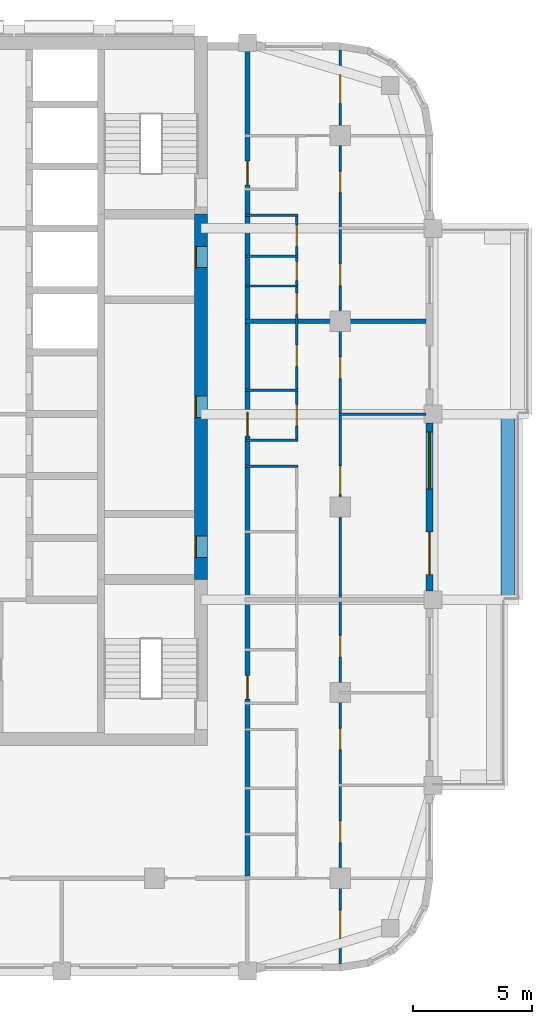
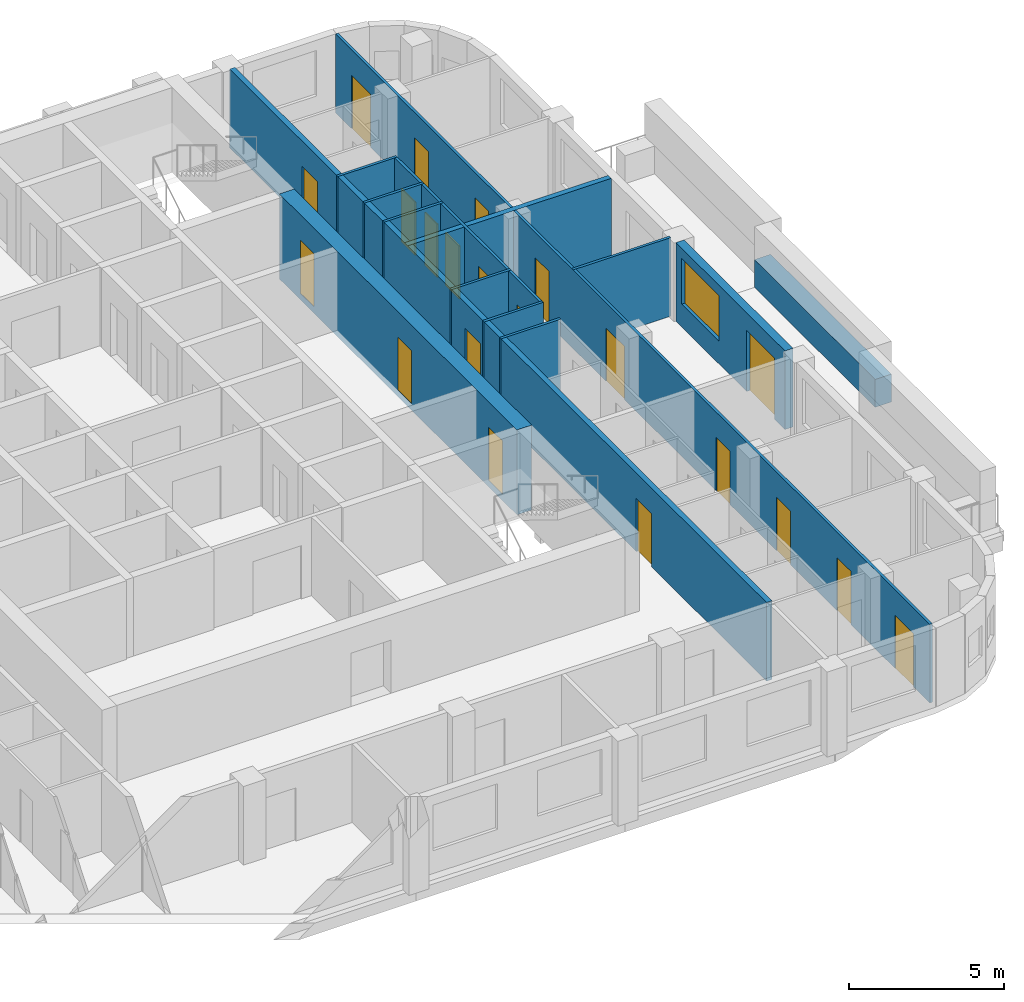
# One storey, part 7 of 13: 21 doors, 14 walls, 1 window, 22 openings.
"""IFC4 building model written with IfcOpenShell, lengths in metres."""

import ifcopenshell
import ifcopenshell.guid

model = None  # the IFC model being written
_history = None  # IfcOwnerHistory: only IFC2X3 demands one
_inside = {}  # id of a spatial element -> (the spatial element, [elements in it])
_under = {}  # id of a project, library or spatial element -> (it, [spatial elements below it])
_declared = {}  # id of a project -> (the project, [libraries it declares])
_typed = {}  # id of a type object -> (the type object, [elements of that type])
_made_of = {}  # id of a material, layer set ... -> (it, [elements and type objects made of it])


def new_model(schema):
    """Start an empty IFC model of exactly this schema.

    Asked for "IFC4X3", IfcOpenShell would pick the latest addendum, in which some entities
    have other attributes; the version numbers below select the first issue.
    IFC2X3 requires an IfcOwnerHistory on every rooted entity: one is made here for all.
    """
    global model, _history
    if schema == "IFC4X3":
        model = ifcopenshell.file(schema_version=(4, 3, 0, 0))
    else:
        model = ifcopenshell.file(schema=schema)
    _inside.clear()
    _under.clear()
    _declared.clear()
    _typed.clear()
    _made_of.clear()
    _history = None
    if model.schema == "IFC2X3":
        org = make("IfcOrganization", Name="unknown")
        user = make(
            "IfcPersonAndOrganization",
            ThePerson=make("IfcPerson", FamilyName="unknown"),
            TheOrganization=org,
        )
        app = make(
            "IfcApplication",
            ApplicationDeveloper=org,
            Version="unknown",
            ApplicationFullName="unknown",
            ApplicationIdentifier="unknown",
        )
        _history = make(
            "IfcOwnerHistory",
            OwningUser=user,
            OwningApplication=app,
            ChangeAction="ADDED",
            CreationDate=0,
        )
    return model


def make(cls, **values):
    """One entity of the class cls with the attributes given. An attribute that is None is left unset."""
    return model.create_entity(
        cls, **{name: value for name, value in values.items() if value is not None}
    )


def rooted(cls, **values):
    """An entity with a GlobalId (a new one), such as an element, a storey or a relation."""
    return make(cls, GlobalId=ifcopenshell.guid.new(), OwnerHistory=_history, **values)


def si_unit(unit_type, name, prefix=None):
    """IfcSIUnit, for example si_unit("LENGTHUNIT", "METRE", prefix="MILLI")."""
    return make("IfcSIUnit", UnitType=unit_type, Prefix=prefix, Name=name)


def assignment(units):
    """IfcUnitAssignment: the units of a project."""
    return None if units is None else make("IfcUnitAssignment", Units=units)


def point(xyz):
    """IfcCartesianPoint."""
    return None if xyz is None else make("IfcCartesianPoint", Coordinates=xyz)


def direction(xyz):
    """IfcDirection."""
    return None if xyz is None else make("IfcDirection", DirectionRatios=xyz)


def frame(location, z_axis=None, x_axis=None):
    """IfcAxis2Placement3D, a coordinate frame: its origin and axes. An axis left out is left unset."""
    return make(
        "IfcAxis2Placement3D",
        Location=point(location),
        Axis=direction(z_axis),
        RefDirection=direction(x_axis),
    )


def frame_2d(location, x_axis=None):
    """IfcAxis2Placement2D, a coordinate frame in the plane: its origin and x axis."""
    return make(
        "IfcAxis2Placement2D", Location=point(location), RefDirection=direction(x_axis)
    )


def origin():
    """The frame at (0, 0, 0) with its axes left unset."""
    return frame((0.0, 0.0, 0.0))


def place(relative_to, where):
    """IfcLocalPlacement: puts the frame where relative to a parent placement (None: the world)."""
    return make(
        "IfcLocalPlacement", PlacementRelTo=relative_to, RelativePlacement=where
    )


def context(
    kind, dimensions, precision=None, world=None, true_north=None, identifier=None
):
    """IfcGeometricRepresentationContext, for example the 3D "Model" context."""
    return make(
        "IfcGeometricRepresentationContext",
        ContextIdentifier=identifier,
        ContextType=kind,
        CoordinateSpaceDimension=dimensions,
        Precision=precision,
        WorldCoordinateSystem=world,
        TrueNorth=true_north,
    )


def subcontext(parent, identifier, kind, view, scale=None):
    """IfcGeometricRepresentationSubContext, for example "Body" below "Model"."""
    return make(
        "IfcGeometricRepresentationSubContext",
        ContextIdentifier=identifier,
        ContextType=kind,
        ParentContext=parent,
        TargetScale=scale,
        TargetView=view,
    )


def project(units=None, contexts=None):
    """IfcProject with its units and contexts."""
    return rooted(
        "IfcProject",
        Name="project",
        RepresentationContexts=contexts,
        UnitsInContext=assignment(units),
    )


def spatial(cls, under=None, at=None, **own):
    """A site, building, storey or space (cls), placed at a placement, below another one or the project."""
    s = rooted(cls, ObjectPlacement=at, **own)
    if under is not None:
        _under.setdefault(under.id(), (under, []))[1].append(s)
    return s


def profile(cls, at=None, kind="AREA", **sizes):
    """A parametric profile (cls). Its sizes go by their IFC names, for example OverallWidth=200.0."""
    return make(cls, ProfileType=kind, Position=at, **sizes)


def rectangle(**sizes):
    """IfcRectangleProfileDef."""
    return profile("IfcRectangleProfileDef", **sizes)


def extrude(swept, where, along, depth):
    """IfcExtrudedAreaSolid: the profile swept, set in the frame where, extruded along a direction by depth."""
    return make(
        "IfcExtrudedAreaSolid",
        SweptArea=swept,
        Position=where,
        ExtrudedDirection=direction(along),
        Depth=depth,
    )


def shape(context_of_items, identifier, shape_type, items):
    """IfcShapeRepresentation: the items that make up one representation, for example the "Body"."""
    return make(
        "IfcShapeRepresentation",
        ContextOfItems=context_of_items,
        RepresentationIdentifier=identifier,
        RepresentationType=shape_type,
        Items=items,
    )


def material(Name=None, Category=None):
    """IfcMaterial."""
    return make("IfcMaterial", Name=Name, Category=Category)


def layer(
    of_material, thickness, ventilated=None, Name=None, Category=None, Priority=None
):
    """IfcMaterialLayer: one layer of a wall or slab, of a material (None: an air gap)."""
    return make(
        "IfcMaterialLayer",
        Material=of_material,
        LayerThickness=thickness,
        IsVentilated=ventilated,
        Name=Name,
        Category=Category,
        Priority=Priority,
    )


def layer_set(layers, Name=None):
    """IfcMaterialLayerSet."""
    return make("IfcMaterialLayerSet", MaterialLayers=layers, LayerSetName=Name)


def made_of(thing, what):
    """Note that an element or type object is made of a material, layer set ...; save() writes the relation."""
    if what is not None:
        _made_of.setdefault(what.id(), (what, []))[1].append(thing)
    return thing


def type_object(cls, material=None, **own):
    """A type object (cls), such as IfcWallType, which elements share."""
    return made_of(rooted(cls, **own), material)


def element(
    cls,
    number,
    at=None,
    inside=None,
    cuts=None,
    type_object=None,
    material=None,
    context=None,
    identifier="Body",
    shape_type=None,
    held_by="IfcProductDefinitionShape",
    body=None,
    shapes=None,
    **own,
):
    """One element of the class cls, such as IfcWall. Its Tag is "e" and its number.

    at: its placement. inside: the storey or other place that contains it. cuts: it is an
    opening in that element (IfcRelVoidsElement). A single representation is given by context,
    identifier, shape_type and body (its items); several are given by shapes. held_by: the class
    of the entity that holds the representations. save() writes the other relations.
    """
    e = rooted(cls, Tag="e%d" % number, ObjectPlacement=at, **own)
    if body is not None:
        shapes = [shape(context, identifier, shape_type, body)]
    if shapes is not None:
        e.Representation = make(held_by, Representations=shapes)
    if inside is not None:
        _inside.setdefault(inside.id(), (inside, []))[1].append(e)
    if cuts is not None:
        rooted(
            "IfcRelVoidsElement", RelatingBuildingElement=cuts, RelatedOpeningElement=e
        )
    if type_object is not None:
        _typed.setdefault(type_object.id(), (type_object, []))[1].append(e)
    return made_of(e, material)


def fill(opening, filler):
    """IfcRelFillsElement: the door or window that sits in an opening."""
    return rooted(
        "IfcRelFillsElement",
        RelatingOpeningElement=opening,
        RelatedBuildingElement=filler,
    )


def aggregate(whole, parts):
    """IfcRelAggregates: a whole, such as a stair, and the parts it consists of."""
    return rooted("IfcRelAggregates", RelatingObject=whole, RelatedObjects=parts)


def save(model, path):
    """Write the relations noted so far, then the file.

    IfcRelAggregates (storeys below a building ...), IfcRelContainedInSpatialStructure (elements
    in a storey), IfcRelDefinesByType, IfcRelAssociatesMaterial and IfcRelDeclares: one each for
    every whole, place, type object, material and project.
    """
    for whole, parts in _under.values():
        aggregate(whole, parts)
    for where, things in _inside.values():
        rooted(
            "IfcRelContainedInSpatialStructure",
            RelatedElements=things,
            RelatingStructure=where,
        )
    for kind, things in _typed.values():
        rooted("IfcRelDefinesByType", RelatedObjects=things, RelatingType=kind)
    for what, things in _made_of.values():
        rooted("IfcRelAssociatesMaterial", RelatedObjects=things, RelatingMaterial=what)
    for by, libraries in _declared.values():
        rooted("IfcRelDeclares", RelatingContext=by, RelatedDefinitions=libraries)
    model.write(path)


model = new_model("IFC4")

# Units and contexts
model_context = context("Model", 3, precision=1e-05, world=origin(), true_north=direction((0.0, 1.0)))
body_context = subcontext(model_context, "Body", "Model", "MODEL_VIEW")
ifc_project = project(units=[si_unit("LENGTHUNIT", "METRE"), si_unit("AREAUNIT", "SQUARE_METRE"), si_unit("VOLUMEUNIT", "CUBIC_METRE"), si_unit("PLANEANGLEUNIT", "RADIAN"), si_unit("MASSUNIT", "GRAM", prefix="KILO")], contexts=[model_context])

# Site, building, storey
site_placement = place(None, origin())
site = spatial("IfcSite", under=ifc_project, at=site_placement, CompositionType="ELEMENT")
building_placement = place(site_placement, origin())
building = spatial("IfcBuilding", under=site, at=building_placement, Name="Ludao Terraces", CompositionType="ELEMENT")
storey_placement = place(building_placement, frame((0.0, 0.0, 189.39990234375)))
storey = spatial("IfcBuildingStorey", under=building, at=storey_placement, Name="L51", CompositionType="ELEMENT", Elevation=189.39990234375)

# Wall, openings, doors
ifc_material_1 = material(Name="Concrete C60", Category="concrete")
ifc_layer_1 = layer(ifc_material_1, 0.550048828125)
ifc_layer_set_1 = layer_set([ifc_layer_1], Name="Core wall 550 C60")
wall_type_1 = type_object("IfcWallType", Name="Core wall 550 C60", PredefinedType="SOLIDWALL", material=ifc_layer_set_1)
wall_1_placement = place(storey_placement, frame((94.75, 61.949951171875, -0.25), z_axis=(0.0, 0.0, 1.0), x_axis=(0.0, 1.0, 0.0)))
wall_1 = element("IfcWall", 1, at=wall_1_placement, inside=storey, type_object=wall_type_1, Name="Core wall L51 outer-E", PredefinedType="SOLIDWALL", context=body_context, shape_type="SweptSolid", body=[
    extrude(rectangle(XDim=15.35009765625, YDim=0.550048828125, at=frame_2d((7.675048828125, 0.0))), origin(), (0.0, 0.0, 1.0), 3.35009765625),
])
opening_1_placement = place(wall_1_placement, frame((0.925048828125, 0.0, 0.25)))
opening_1 = element("IfcOpeningElement", 2, at=opening_1_placement, cuts=wall_1, Name="Opening R18-034", PredefinedType="OPENING", context=body_context, shape_type="SweptSolid", body=[
    extrude(rectangle(XDim=0.89990234375, YDim=2.10009765625, at=frame_2d((0.449951171875, 1.050048828125))), frame((0.0, 0.28515625, 0.0), z_axis=(0.0, -1.0, 0.0), x_axis=(1.0, 0.0, 0.0)), (0.0, 0.0, 1.0), 0.570068359375),
])
opening_2_placement = place(wall_1_placement, frame((6.800048828125, 0.0, 0.25)))
opening_2 = element("IfcOpeningElement", 3, at=opening_2_placement, cuts=wall_1, Name="Opening R18-052", PredefinedType="OPENING", context=body_context, shape_type="SweptSolid", body=[
    extrude(rectangle(XDim=0.89990234375, YDim=2.10009765625, at=frame_2d((0.449951171875, 1.050048828125))), frame((0.0, 0.28515625, 0.0), z_axis=(0.0, -1.0, 0.0), x_axis=(1.0, 0.0, 0.0)), (0.0, 0.0, 1.0), 0.570068359375),
])
opening_3_placement = place(wall_1_placement, frame((13.10009765625, 0.0, 0.25)))
opening_3 = element("IfcOpeningElement", 4, at=opening_3_placement, cuts=wall_1, Name="Opening R18-071", PredefinedType="OPENING", context=body_context, shape_type="SweptSolid", body=[
    extrude(rectangle(XDim=0.89990234375, YDim=2.10009765625, at=frame_2d((0.449951171875, 1.050048828125))), frame((0.0, 0.28515625, 0.0), z_axis=(0.0, -1.0, 0.0), x_axis=(1.0, 0.0, 0.0)), (0.0, 0.0, 1.0), 0.570068359375),
])
ifc_material_2 = material(Name="Steel Q235", Category="steel")
door_type_1 = type_object("IfcDoorType", Name="INT Riser door 900", OperationType="SINGLE_SWING_LEFT", PredefinedType="DOOR", material=ifc_material_2)
door_1_placement = place(opening_1_placement, origin())
door_1 = element("IfcDoor", 5, at=door_1_placement, inside=storey, type_object=door_type_1, Name="DOOR 034", OperationType="SINGLE_SWING_LEFT", OverallHeight=2.10009765625, OverallWidth=0.89990234375, PredefinedType="DOOR", context=body_context, shape_type="SweptSolid", body=[
    extrude(rectangle(XDim=0.89990234375, YDim=2.10009765625, at=frame_2d((0.449951171875, 1.050048828125))), frame((0.0, 0.26025390625, 0.0), z_axis=(0.0, -1.0, 0.0), x_axis=(1.0, 0.0, 0.0)), (0.0, 0.0, 1.0), 0.050048828125),
])
fill(opening_1, door_1)
door_2_placement = place(opening_3_placement, origin())
door_2 = element("IfcDoor", 6, at=door_2_placement, inside=storey, type_object=door_type_1, Name="DOOR 071", OperationType="SINGLE_SWING_RIGHT", OverallHeight=2.10009765625, OverallWidth=0.89990234375, PredefinedType="DOOR", context=body_context, shape_type="SweptSolid", body=[
    extrude(rectangle(XDim=0.89990234375, YDim=2.10009765625, at=frame_2d((0.449951171875, 1.050048828125))), frame((0.0, 0.26025390625, 0.0), z_axis=(0.0, -1.0, 0.0), x_axis=(1.0, 0.0, 0.0)), (0.0, 0.0, 1.0), 0.050048828125),
])
fill(opening_3, door_2)
ifc_material_3 = material(Name="Timber door leaf", Category="wood")
door_type_2 = type_object("IfcDoorType", Name="INT Room door 900", OperationType="SINGLE_SWING_LEFT", PredefinedType="DOOR", material=ifc_material_3)
door_3_placement = place(opening_2_placement, origin())
door_3 = element("IfcDoor", 7, at=door_3_placement, inside=storey, type_object=door_type_2, Name="DOOR 052", OperationType="SINGLE_SWING_RIGHT", OverallHeight=2.10009765625, OverallWidth=0.89990234375, PredefinedType="DOOR", context=body_context, shape_type="SweptSolid", body=[
    extrude(rectangle(XDim=0.89990234375, YDim=2.10009765625, at=frame_2d((0.449951171875, 1.050048828125))), frame((0.0, 0.26025390625, 0.0), z_axis=(0.0, -1.0, 0.0), x_axis=(1.0, 0.0, 0.0)), (0.0, 0.0, 1.0), 0.050048828125),
])
fill(opening_2, door_3)

# Wall
ifc_material_4 = material(Name="Concrete C40", Category="concrete")
ifc_layer_2 = layer(ifc_material_4, 0.60009765625)
ifc_layer_set_2 = layer_set([ifc_layer_2], Name="ENV Planter trough 600")
wall_type_2 = type_object("IfcWallType", Name="ENV Planter trough 600", PredefinedType="USERDEFINED", material=ifc_layer_set_2)
wall_2_placement = place(storey_placement, frame((107.64990234375, 61.10009765625, 0.0), z_axis=(0.0, 0.0, 1.0), x_axis=(0.0, 1.0, 0.0)))
element("IfcWall", 8, at=wall_2_placement, inside=storey, type_object=wall_type_2, Name="PL-L51-E2", ObjectType="PLANTER", PredefinedType="USERDEFINED", context=body_context, shape_type="SweptSolid", body=[
    extrude(rectangle(XDim=7.7998046875, YDim=0.60009765625, at=frame_2d((3.89990234375, 0.0))), origin(), (0.0, 0.0, 1.0), 1.10009765625),
])

# Wall, openings, door, window
ifc_material_5 = material(Name="Granite cladding", Category="masonry")
ifc_layer_3 = layer(ifc_material_5, 0.0400390625, Category="stone")
ifc_material_6 = material(Name="Mineral wool")
ifc_layer_4 = layer(ifc_material_6, 0.06005859375)
ifc_layer_5 = layer(ifc_material_4, 0.199951171875, Category="concrete")
ifc_layer_set_3 = layer_set([ifc_layer_3, ifc_layer_4, ifc_layer_5], Name="ENV Stone-clad wall 300")
wall_type_3 = type_object("IfcWallType", Name="ENV Stone-clad wall 300", PredefinedType="SOLIDWALL", material=ifc_layer_set_3)
wall_3_placement = place(storey_placement, frame((104.35009765625, 61.47509765625, 0.0), z_axis=(0.0, 0.0, 1.0), x_axis=(0.0, 1.0, 0.0)))
wall_3 = element("IfcWall", 9, at=wall_3_placement, inside=storey, type_object=wall_type_3, Name="EW-L51-E3", PredefinedType="SOLIDWALL", context=body_context, shape_type="SweptSolid", body=[
    extrude(rectangle(XDim=7.0498046875, YDim=0.300048828125, at=frame_2d((3.52490234375, 0.0))), origin(), (0.0, 0.0, 1.0), 3.10009765625),
])
opening_4_placement = place(wall_3_placement, frame((0.675048828125, 0.0, 0.0)))
opening_4 = element("IfcOpeningElement", 10, at=opening_4_placement, cuts=wall_3, Name="Opening BD", PredefinedType="OPENING", context=body_context, shape_type="SweptSolid", body=[
    extrude(rectangle(XDim=1.800048828125, YDim=2.39990234375, at=frame_2d((0.89990234375, 1.199951171875))), frame((0.0, 0.16015625, 0.0), z_axis=(0.0, -1.0, 0.0), x_axis=(1.0, 0.0, 0.0)), (0.0, 0.0, 1.0), 0.320068359375),
])
opening_5_placement = place(wall_3_placement, frame((4.27490234375, 0.0, 0.89990234375)))
opening_5 = element("IfcOpeningElement", 11, at=opening_5_placement, cuts=wall_3, Name="Opening W1", PredefinedType="OPENING", context=body_context, shape_type="SweptSolid", body=[
    extrude(rectangle(XDim=2.39990234375, YDim=1.800048828125, at=frame_2d((1.199951171875, 0.89990234375))), frame((0.0, 0.16015625, 0.0), z_axis=(0.0, -1.0, 0.0), x_axis=(1.0, 0.0, 0.0)), (0.0, 0.0, 1.0), 0.320068359375),
])
ifc_material_7 = material(Name="Aluminium glazed door", Category="aluminium")
ifc_layer_6 = layer(ifc_material_7, 0.06005859375)
ifc_layer_set_4 = layer_set([ifc_layer_6], Name="ENV Balcony door BD 1800x2400")
door_type_3 = type_object("IfcDoorType", Name="ENV Balcony door BD 1800x2400", OperationType="DOUBLE_DOOR_SINGLE_SWING", PredefinedType="DOOR", material=ifc_layer_set_4)
door_4_placement = place(opening_4_placement, origin())
door_4 = element("IfcDoor", 12, at=door_4_placement, inside=storey, type_object=door_type_3, Name="BD-L51-E3-1", OperationType="DOUBLE_DOOR_SINGLE_SWING", OverallHeight=2.39990234375, OverallWidth=1.800048828125, PredefinedType="DOOR", context=body_context, shape_type="SweptSolid", body=[
    extrude(rectangle(XDim=1.800048828125, YDim=2.39990234375, at=frame_2d((0.89990234375, 1.199951171875))), frame((0.0, 0.02490234375, 0.0), z_axis=(0.0, -1.0, 0.0), x_axis=(1.0, 0.0, 0.0)), (0.0, 0.0, 1.0), 0.050048828125),
])
fill(opening_4, door_4)
ifc_material_8 = material(Name="Clear glass in aluminium frame", Category="aluminium")
ifc_layer_7 = layer(ifc_material_8, 0.06005859375)
ifc_layer_set_5 = layer_set([ifc_layer_7], Name="ENV Window W1 2400x1800")
window_type = type_object("IfcWindowType", Name="ENV Window W1 2400x1800", PartitioningType="DOUBLE_PANEL_VERTICAL", PredefinedType="WINDOW", material=ifc_layer_set_5)
window_placement = place(opening_5_placement, origin())
window = element("IfcWindow", 13, at=window_placement, inside=storey, type_object=window_type, Name="W-L51-E3-2", OverallHeight=1.800048828125, OverallWidth=2.39990234375, PartitioningType="DOUBLE_PANEL_VERTICAL", PredefinedType="WINDOW", context=body_context, shape_type="SweptSolid", body=[
    extrude(rectangle(XDim=2.39990234375, YDim=1.800048828125, at=frame_2d((1.199951171875, 0.89990234375))), frame((0.0, 0.030029296875, 0.0), z_axis=(0.0, -1.0, 0.0), x_axis=(1.0, 0.0, 0.0)), (0.0, 0.0, 1.0), 0.06005859375),
])
fill(opening_5, window)

# Wall, openings, doors
ifc_material_9 = material(Name="Autoclaved aerated concrete block B06 A3.5", Category="concrete")
ifc_layer_8 = layer(ifc_material_9, 0.199951171875)
ifc_layer_set_6 = layer_set([ifc_layer_8], Name="INT Entrance wall 200")
wall_type_4 = type_object("IfcWallType", Name="INT Entrance wall 200", PredefinedType="PARTITIONING", material=ifc_layer_set_6)
wall_4_placement = place(storey_placement, frame((96.699951171875, 49.5, 0.0), z_axis=(0.0, 0.0, 1.0), x_axis=(0.0, 1.0, 0.0)))
wall_4 = element("IfcWall", 14, at=wall_4_placement, inside=storey, type_object=wall_type_4, Name="PW-L51-PW059", PredefinedType="PARTITIONING", context=body_context, shape_type="SweptSolid", body=[
    extrude(rectangle(XDim=34.7001953125, YDim=0.199951171875, at=frame_2d((17.35009765625, 0.0))), origin(), (0.0, 0.0, 1.0), 3.10009765625),
])
opening_6_placement = place(wall_4_placement, frame((7.425048828125, 0.0, 0.0)))
opening_6 = element("IfcOpeningElement", 15, at=opening_6_placement, cuts=wall_4, Name="Opening R18-020", PredefinedType="OPENING", context=body_context, shape_type="SweptSolid", body=[
    extrude(rectangle(XDim=1.0, YDim=2.10009765625, at=frame_2d((0.5, 1.050048828125))), frame((0.0, 0.10986328125, 0.0), z_axis=(0.0, -1.0, 0.0), x_axis=(1.0, 0.0, 0.0)), (0.0, 0.0, 1.0), 0.219970703125),
])
opening_7_placement = place(wall_4_placement, frame((18.47509765625, 0.0, 0.0)))
opening_7 = element("IfcOpeningElement", 16, at=opening_7_placement, cuts=wall_4, Name="Opening R18-047", PredefinedType="OPENING", context=body_context, shape_type="SweptSolid", body=[
    extrude(rectangle(XDim=1.0, YDim=2.10009765625, at=frame_2d((0.5, 1.050048828125))), frame((0.0, 0.10986328125, 0.0), z_axis=(0.0, -1.0, 0.0), x_axis=(1.0, 0.0, 0.0)), (0.0, 0.0, 1.0), 0.219970703125),
])
opening_8_placement = place(wall_4_placement, frame((29.025146484375, 0.0, 0.0)))
opening_8 = element("IfcOpeningElement", 17, at=opening_8_placement, cuts=wall_4, Name="Opening R18-081", PredefinedType="OPENING", context=body_context, shape_type="SweptSolid", body=[
    extrude(rectangle(XDim=1.0, YDim=2.10009765625, at=frame_2d((0.5, 1.050048828125))), frame((0.0, 0.10986328125, 0.0), z_axis=(0.0, -1.0, 0.0), x_axis=(1.0, 0.0, 0.0)), (0.0, 0.0, 1.0), 0.219970703125),
])
door_type_4 = type_object("IfcDoorType", Name="INT Flat entrance door 1000", OperationType="SINGLE_SWING_LEFT", PredefinedType="DOOR", material=ifc_material_2)
door_5_placement = place(opening_6_placement, origin())
door_5 = element("IfcDoor", 18, at=door_5_placement, inside=storey, type_object=door_type_4, Name="DOOR 020", OperationType="SINGLE_SWING_LEFT", OverallHeight=2.10009765625, OverallWidth=1.0, PredefinedType="DOOR", context=body_context, shape_type="SweptSolid", body=[
    extrude(rectangle(XDim=1.0, YDim=2.10009765625, at=frame_2d((0.5, 1.050048828125))), frame((0.0, 0.02490234375, 0.0), z_axis=(0.0, -1.0, 0.0), x_axis=(1.0, 0.0, 0.0)), (0.0, 0.0, 1.0), 0.050048828125),
])
fill(opening_6, door_5)
door_6_placement = place(opening_7_placement, origin())
door_6 = element("IfcDoor", 19, at=door_6_placement, inside=storey, type_object=door_type_4, Name="DOOR 047", OperationType="SINGLE_SWING_LEFT", OverallHeight=2.10009765625, OverallWidth=1.0, PredefinedType="DOOR", context=body_context, shape_type="SweptSolid", body=[
    extrude(rectangle(XDim=1.0, YDim=2.10009765625, at=frame_2d((0.5, 1.050048828125))), frame((0.0, 0.02490234375, 0.0), z_axis=(0.0, -1.0, 0.0), x_axis=(1.0, 0.0, 0.0)), (0.0, 0.0, 1.0), 0.050048828125),
])
fill(opening_7, door_6)
door_7_placement = place(opening_8_placement, origin())
door_7 = element("IfcDoor", 20, at=door_7_placement, inside=storey, type_object=door_type_4, Name="DOOR 081", OperationType="SINGLE_SWING_LEFT", OverallHeight=2.10009765625, OverallWidth=1.0, PredefinedType="DOOR", context=body_context, shape_type="SweptSolid", body=[
    extrude(rectangle(XDim=1.0, YDim=2.10009765625, at=frame_2d((0.5, 1.050048828125))), frame((0.0, 0.02490234375, 0.0), z_axis=(0.0, -1.0, 0.0), x_axis=(1.0, 0.0, 0.0)), (0.0, 0.0, 1.0), 0.050048828125),
])
fill(opening_8, door_7)

# Walls
ifc_material_10 = material(Name="Gypsum plasterboard", Category="gypsum")
ifc_layer_9 = layer(ifc_material_10, 0.012451171875, Category="gypsum")
ifc_layer_10 = layer(ifc_material_6, 0.06005859375, Name="insulation")
ifc_layer_11 = layer(ifc_material_2, 0.014892578125, Name="stud")
ifc_layer_12 = layer(ifc_material_10, 0.012451171875, Category="gypsum")
ifc_layer_set_7 = layer_set([ifc_layer_9, ifc_layer_10, ifc_layer_11, ifc_layer_12], Name="INT Partition 100")
wall_type_5 = type_object("IfcWallType", Name="INT Partition 100", PredefinedType="PARTITIONING", material=ifc_layer_set_7)
for number, where, z_axis, x_axis, name in (
    (21, (96.60009765625, 66.699951171875, 0.0), (0.0, 0.0, 1.0), (1.0, 0.0, 0.0), "PW-L51-PW024"),
    (22, (96.60009765625, 67.800048828125, 0.0), (0.0, 0.0, 1.0), (1.0, 0.0, 0.0), "PW-L51-PW027"),
):
    element("IfcWall", number, at=place(storey_placement, frame(where, z_axis=z_axis, x_axis=x_axis)), inside=storey, type_object=wall_type_5, Name=name, PredefinedType="PARTITIONING", context=body_context, shape_type="SweptSolid", body=[
        extrude(rectangle(XDim=2.219970703125, YDim=0.10009765625, at=frame_2d((1.10986328125, 0.0))), origin(), (0.0, 0.0, 1.0), 3.10009765625),
    ])
wall_5_placement = place(storey_placement, frame((100.550048828125, 68.89990234375, 0.0), z_axis=(0.0, 0.0, 1.0), x_axis=(1.0, 0.0, 0.0)))
element("IfcWall", 23, at=wall_5_placement, inside=storey, type_object=wall_type_5, Name="PW-L51-PW030", PredefinedType="PARTITIONING", context=body_context, shape_type="SweptSolid", body=[
    extrude(rectangle(XDim=3.650146484375, YDim=0.10009765625, at=frame_2d((1.8251953125, 0.0))), origin(), (0.0, 0.0, 1.0), 3.10009765625),
])
for number, where, z_axis, x_axis, name in (
    (24, (96.60009765625, 69.89990234375, 0.0), (0.0, 0.0, 1.0), (1.0, 0.0, 0.0), "PW-L51-PW031"),
    (25, (96.60009765625, 74.280029296875, 0.0), (0.0, 0.0, 1.0), (1.0, 0.0, 0.0), "PW-L51-PW038"),
    (26, (96.60009765625, 75.530029296875, 0.0), (0.0, 0.0, 1.0), (1.0, 0.0, 0.0), "PW-L51-PW040"),
    (27, (96.60009765625, 77.25, 0.0), (0.0, 0.0, 1.0), (1.0, 0.0, 0.0), "PW-L51-PW044"),
):
    element("IfcWall", number, at=place(storey_placement, frame(where, z_axis=z_axis, x_axis=x_axis)), inside=storey, type_object=wall_type_5, Name=name, PredefinedType="PARTITIONING", context=body_context, shape_type="SweptSolid", body=[
        extrude(rectangle(XDim=2.219970703125, YDim=0.10009765625, at=frame_2d((1.10986328125, 0.0))), origin(), (0.0, 0.0, 1.0), 3.10009765625),
    ])

# Wall, openings, doors
wall_6_placement = place(storey_placement, frame((98.77001953125, 67.85009765625, 0.0), z_axis=(0.0, 0.0, 1.0), x_axis=(0.0, 1.0, 0.0)))
wall_6 = element("IfcWall", 28, at=wall_6_placement, inside=storey, type_object=wall_type_5, Name="PW-L51-PW062", PredefinedType="PARTITIONING", context=body_context, shape_type="SweptSolid", body=[
    extrude(rectangle(XDim=9.35009765625, YDim=0.10009765625, at=frame_2d((4.675048828125, 0.0))), origin(), (0.0, 0.0, 1.0), 3.10009765625),
])
opening_9_placement = place(wall_6_placement, frame((0.550048828125, 0.0, 0.0)))
opening_9 = element("IfcOpeningElement", 29, at=opening_9_placement, cuts=wall_6, Name="Opening R18-049", PredefinedType="OPENING", context=body_context, shape_type="SweptSolid", body=[
    extrude(rectangle(XDim=0.89990234375, YDim=2.10009765625, at=frame_2d((0.449951171875, 1.050048828125))), frame((0.0, 0.06005859375, 0.0), z_axis=(0.0, -1.0, 0.0), x_axis=(1.0, 0.0, 0.0)), (0.0, 0.0, 1.0), 0.1201171875),
])
opening_10_placement = place(wall_6_placement, frame((3.050048828125, 0.0, 0.0)))
opening_10 = element("IfcOpeningElement", 30, at=opening_10_placement, cuts=wall_6, Name="Opening R18-057", PredefinedType="OPENING", context=body_context, shape_type="SweptSolid", body=[
    extrude(rectangle(XDim=0.89990234375, YDim=2.10009765625, at=frame_2d((0.449951171875, 1.050048828125))), frame((0.0, 0.06005859375, 0.0), z_axis=(0.0, -1.0, 0.0), x_axis=(1.0, 0.0, 0.0)), (0.0, 0.0, 1.0), 0.1201171875),
])
opening_11_placement = place(wall_6_placement, frame((5.239990234375, 0.0, 0.0)))
opening_11 = element("IfcOpeningElement", 31, at=opening_11_placement, cuts=wall_6, Name="Opening R18-063", PredefinedType="OPENING", context=body_context, shape_type="SweptSolid", body=[
    extrude(rectangle(XDim=0.89990234375, YDim=2.10009765625, at=frame_2d((0.449951171875, 1.050048828125))), frame((0.0, 0.06005859375, 0.0), z_axis=(0.0, -1.0, 0.0), x_axis=(1.0, 0.0, 0.0)), (0.0, 0.0, 1.0), 0.1201171875),
])
opening_12_placement = place(wall_6_placement, frame((6.655029296875, 0.0, 0.0)))
opening_12 = element("IfcOpeningElement", 32, at=opening_12_placement, cuts=wall_6, Name="Opening R18-067", PredefinedType="OPENING", context=body_context, shape_type="SweptSolid", body=[
    extrude(rectangle(XDim=0.800048828125, YDim=2.10009765625, at=frame_2d((0.39990234375, 1.050048828125))), frame((0.0, 0.06005859375, 0.0), z_axis=(0.0, -1.0, 0.0), x_axis=(1.0, 0.0, 0.0)), (0.0, 0.0, 1.0), 0.1201171875),
])
opening_13_placement = place(wall_6_placement, frame((8.090087890625, 0.0, 0.0)))
opening_13 = element("IfcOpeningElement", 33, at=opening_13_placement, cuts=wall_6, Name="Opening R18-072", PredefinedType="OPENING", context=body_context, shape_type="SweptSolid", body=[
    extrude(rectangle(XDim=0.89990234375, YDim=2.10009765625, at=frame_2d((0.449951171875, 1.050048828125))), frame((0.0, 0.06005859375, 0.0), z_axis=(0.0, -1.0, 0.0), x_axis=(1.0, 0.0, 0.0)), (0.0, 0.0, 1.0), 0.1201171875),
])
door_type_5 = type_object("IfcDoorType", Name="INT Bathroom door 900", OperationType="SINGLE_SWING_LEFT", PredefinedType="DOOR", material=ifc_material_3)
door_8_placement = place(opening_9_placement, origin())
door_8 = element("IfcDoor", 34, at=door_8_placement, inside=storey, type_object=door_type_5, Name="DOOR 049", OperationType="SINGLE_SWING_LEFT", OverallHeight=2.10009765625, OverallWidth=0.89990234375, PredefinedType="DOOR", context=body_context, shape_type="SweptSolid", body=[
    extrude(rectangle(XDim=0.89990234375, YDim=2.10009765625, at=frame_2d((0.449951171875, 1.050048828125))), frame((0.0, 0.02490234375, 0.0), z_axis=(0.0, -1.0, 0.0), x_axis=(1.0, 0.0, 0.0)), (0.0, 0.0, 1.0), 0.050048828125),
])
fill(opening_9, door_8)
door_9_placement = place(opening_11_placement, origin())
door_9 = element("IfcDoor", 35, at=door_9_placement, inside=storey, type_object=door_type_5, Name="DOOR 063", OperationType="SINGLE_SWING_LEFT", OverallHeight=2.10009765625, OverallWidth=0.89990234375, PredefinedType="DOOR", context=body_context, shape_type="SweptSolid", body=[
    extrude(rectangle(XDim=0.89990234375, YDim=2.10009765625, at=frame_2d((0.449951171875, 1.050048828125))), frame((0.0, 0.02490234375, 0.0), z_axis=(0.0, -1.0, 0.0), x_axis=(1.0, 0.0, 0.0)), (0.0, 0.0, 1.0), 0.050048828125),
])
fill(opening_11, door_9)
door_10_placement = place(opening_10_placement, origin())
door_10 = element("IfcDoor", 36, at=door_10_placement, inside=storey, type_object=door_type_2, Name="DOOR 057", OperationType="SINGLE_SWING_LEFT", OverallHeight=2.10009765625, OverallWidth=0.89990234375, PredefinedType="DOOR", context=body_context, shape_type="SweptSolid", body=[
    extrude(rectangle(XDim=0.89990234375, YDim=2.10009765625, at=frame_2d((0.449951171875, 1.050048828125))), frame((0.0, 0.02490234375, 0.0), z_axis=(0.0, -1.0, 0.0), x_axis=(1.0, 0.0, 0.0)), (0.0, 0.0, 1.0), 0.050048828125),
])
fill(opening_10, door_10)
door_11_placement = place(opening_13_placement, origin())
door_11 = element("IfcDoor", 37, at=door_11_placement, inside=storey, type_object=door_type_2, Name="DOOR 072", OperationType="SINGLE_SWING_LEFT", OverallHeight=2.10009765625, OverallWidth=0.89990234375, PredefinedType="DOOR", context=body_context, shape_type="SweptSolid", body=[
    extrude(rectangle(XDim=0.89990234375, YDim=2.10009765625, at=frame_2d((0.449951171875, 1.050048828125))), frame((0.0, 0.02490234375, 0.0), z_axis=(0.0, -1.0, 0.0), x_axis=(1.0, 0.0, 0.0)), (0.0, 0.0, 1.0), 0.050048828125),
])
fill(opening_13, door_11)
door_type_6 = type_object("IfcDoorType", Name="INT Store door 800", OperationType="SINGLE_SWING_LEFT", PredefinedType="DOOR", material=ifc_material_3)
door_12_placement = place(opening_12_placement, origin())
door_12 = element("IfcDoor", 38, at=door_12_placement, inside=storey, type_object=door_type_6, Name="DOOR 067", OperationType="SINGLE_SWING_RIGHT", OverallHeight=2.10009765625, OverallWidth=0.800048828125, PredefinedType="DOOR", context=body_context, shape_type="SweptSolid", body=[
    extrude(rectangle(XDim=0.800048828125, YDim=2.10009765625, at=frame_2d((0.39990234375, 1.050048828125))), frame((0.0, 0.02490234375, 0.0), z_axis=(0.0, -1.0, 0.0), x_axis=(1.0, 0.0, 0.0)), (0.0, 0.0, 1.0), 0.050048828125),
])
fill(opening_12, door_12)

wall_7_placement = place(storey_placement, frame((100.60009765625, 45.800048828125, 0.0), z_axis=(0.0, 0.0, 1.0), x_axis=(0.0, 1.0, 0.0)))
wall_7 = element("IfcWall", 39, at=wall_7_placement, inside=storey, type_object=wall_type_5, Name="PW-L51-PW064", PredefinedType="PARTITIONING", context=body_context, shape_type="SweptSolid", body=[
    extrude(rectangle(XDim=38.400146484375, YDim=0.10009765625, at=frame_2d((19.2001953125, 0.0))), origin(), (0.0, 0.0, 1.0), 3.10009765625),
])
opening_14_placement = place(wall_7_placement, frame((1.050048828125, 0.0, 0.0)))
opening_14 = element("IfcOpeningElement", 40, at=opening_14_placement, cuts=wall_7, Name="Opening R18-002", PredefinedType="OPENING", context=body_context, shape_type="SweptSolid", body=[
    extrude(rectangle(XDim=1.199951171875, YDim=2.10009765625, at=frame_2d((0.60009765625, 1.050048828125))), frame((0.0, 0.06005859375, 0.0), z_axis=(0.0, -1.0, 0.0), x_axis=(1.0, 0.0, 0.0)), (0.0, 0.0, 1.0), 0.1201171875),
])
opening_15_placement = place(wall_7_placement, frame((5.10009765625, 0.0, 0.0)))
opening_15 = element("IfcOpeningElement", 41, at=opening_15_placement, cuts=wall_7, Name="Opening R18-011", PredefinedType="OPENING", context=body_context, shape_type="SweptSolid", body=[
    extrude(rectangle(XDim=0.89990234375, YDim=2.10009765625, at=frame_2d((0.449951171875, 1.050048828125))), frame((0.0, 0.06005859375, 0.0), z_axis=(0.0, -1.0, 0.0), x_axis=(1.0, 0.0, 0.0)), (0.0, 0.0, 1.0), 0.1201171875),
])
opening_16_placement = place(wall_7_placement, frame((9.0, 0.0, 0.0)))
opening_16 = element("IfcOpeningElement", 42, at=opening_16_placement, cuts=wall_7, Name="Opening R18-017", PredefinedType="OPENING", context=body_context, shape_type="SweptSolid", body=[
    extrude(rectangle(XDim=0.89990234375, YDim=2.10009765625, at=frame_2d((0.449951171875, 1.050048828125))), frame((0.0, 0.06005859375, 0.0), z_axis=(0.0, -1.0, 0.0), x_axis=(1.0, 0.0, 0.0)), (0.0, 0.0, 1.0), 0.1201171875),
])
opening_17_placement = place(wall_7_placement, frame((12.89990234375, 0.0, 0.0)))
opening_17 = element("IfcOpeningElement", 43, at=opening_17_placement, cuts=wall_7, Name="Opening R18-025", PredefinedType="OPENING", context=body_context, shape_type="SweptSolid", body=[
    extrude(rectangle(XDim=0.89990234375, YDim=2.10009765625, at=frame_2d((0.449951171875, 1.050048828125))), frame((0.0, 0.06005859375, 0.0), z_axis=(0.0, -1.0, 0.0), x_axis=(1.0, 0.0, 0.0)), (0.0, 0.0, 1.0), 0.1201171875),
])
opening_18_placement = place(wall_7_placement, frame((19.72509765625, 0.0, 0.0)))
opening_18 = element("IfcOpeningElement", 44, at=opening_18_placement, cuts=wall_7, Name="Opening R18-040", PredefinedType="OPENING", context=body_context, shape_type="SweptSolid", body=[
    extrude(rectangle(XDim=1.199951171875, YDim=2.10009765625, at=frame_2d((0.60009765625, 1.050048828125))), frame((0.0, 0.06005859375, 0.0), z_axis=(0.0, -1.0, 0.0), x_axis=(1.0, 0.0, 0.0)), (0.0, 0.0, 1.0), 0.1201171875),
])
opening_19_placement = place(wall_7_placement, frame((24.60009765625, 0.0, 0.0)))
opening_19 = element("IfcOpeningElement", 45, at=opening_19_placement, cuts=wall_7, Name="Opening R18-056", PredefinedType="OPENING", context=body_context, shape_type="SweptSolid", body=[
    extrude(rectangle(XDim=0.89990234375, YDim=2.10009765625, at=frame_2d((0.449951171875, 1.050048828125))), frame((0.0, 0.06005859375, 0.0), z_axis=(0.0, -1.0, 0.0), x_axis=(1.0, 0.0, 0.0)), (0.0, 0.0, 1.0), 0.1201171875),
])
opening_20_placement = place(wall_7_placement, frame((28.5, 0.0, 0.0)))
opening_20 = element("IfcOpeningElement", 46, at=opening_20_placement, cuts=wall_7, Name="Opening R18-066", PredefinedType="OPENING", context=body_context, shape_type="SweptSolid", body=[
    extrude(rectangle(XDim=0.89990234375, YDim=2.10009765625, at=frame_2d((0.449951171875, 1.050048828125))), frame((0.0, 0.06005859375, 0.0), z_axis=(0.0, -1.0, 0.0), x_axis=(1.0, 0.0, 0.0)), (0.0, 0.0, 1.0), 0.1201171875),
])
opening_21_placement = place(wall_7_placement, frame((32.39990234375, 0.0, 0.0)))
opening_21 = element("IfcOpeningElement", 47, at=opening_21_placement, cuts=wall_7, Name="Opening R18-080", PredefinedType="OPENING", context=body_context, shape_type="SweptSolid", body=[
    extrude(rectangle(XDim=0.89990234375, YDim=2.10009765625, at=frame_2d((0.449951171875, 1.050048828125))), frame((0.0, 0.06005859375, 0.0), z_axis=(0.0, -1.0, 0.0), x_axis=(1.0, 0.0, 0.0)), (0.0, 0.0, 1.0), 0.1201171875),
])
opening_22_placement = place(wall_7_placement, frame((36.14990234375, 0.0, 0.0)))
opening_22 = element("IfcOpeningElement", 48, at=opening_22_placement, cuts=wall_7, Name="Opening R18-089", PredefinedType="OPENING", context=body_context, shape_type="SweptSolid", body=[
    extrude(rectangle(XDim=1.199951171875, YDim=2.10009765625, at=frame_2d((0.60009765625, 1.050048828125))), frame((0.0, 0.06005859375, 0.0), z_axis=(0.0, -1.0, 0.0), x_axis=(1.0, 0.0, 0.0)), (0.0, 0.0, 1.0), 0.1201171875),
])
door_type_7 = type_object("IfcDoorType", Name="INT Double door 1200", OperationType="DOUBLE_DOOR_SINGLE_SWING", PredefinedType="DOOR", material=ifc_material_3)
door_13_placement = place(opening_14_placement, origin())
door_13 = element("IfcDoor", 49, at=door_13_placement, inside=storey, type_object=door_type_7, Name="DOOR 002", OperationType="DOUBLE_DOOR_SINGLE_SWING", OverallHeight=2.10009765625, OverallWidth=1.199951171875, PredefinedType="DOOR", context=body_context, shape_type="SweptSolid", body=[
    extrude(rectangle(XDim=1.199951171875, YDim=2.10009765625, at=frame_2d((0.60009765625, 1.050048828125))), frame((0.0, 0.02490234375, 0.0), z_axis=(0.0, -1.0, 0.0), x_axis=(1.0, 0.0, 0.0)), (0.0, 0.0, 1.0), 0.050048828125),
])
fill(opening_14, door_13)
door_14_placement = place(opening_18_placement, origin())
door_14 = element("IfcDoor", 50, at=door_14_placement, inside=storey, type_object=door_type_7, Name="DOOR 040", OperationType="DOUBLE_DOOR_SINGLE_SWING", OverallHeight=2.10009765625, OverallWidth=1.199951171875, PredefinedType="DOOR", context=body_context, shape_type="SweptSolid", body=[
    extrude(rectangle(XDim=1.199951171875, YDim=2.10009765625, at=frame_2d((0.60009765625, 1.050048828125))), frame((0.0, 0.02490234375, 0.0), z_axis=(0.0, -1.0, 0.0), x_axis=(1.0, 0.0, 0.0)), (0.0, 0.0, 1.0), 0.050048828125),
])
fill(opening_18, door_14)
door_15_placement = place(opening_22_placement, origin())
door_15 = element("IfcDoor", 51, at=door_15_placement, inside=storey, type_object=door_type_7, Name="DOOR 089", OperationType="DOUBLE_DOOR_SINGLE_SWING", OverallHeight=2.10009765625, OverallWidth=1.199951171875, PredefinedType="DOOR", context=body_context, shape_type="SweptSolid", body=[
    extrude(rectangle(XDim=1.199951171875, YDim=2.10009765625, at=frame_2d((0.60009765625, 1.050048828125))), frame((0.0, 0.02490234375, 0.0), z_axis=(0.0, -1.0, 0.0), x_axis=(1.0, 0.0, 0.0)), (0.0, 0.0, 1.0), 0.050048828125),
])
fill(opening_22, door_15)
door_16_placement = place(opening_15_placement, origin())
door_16 = element("IfcDoor", 52, at=door_16_placement, inside=storey, type_object=door_type_2, Name="DOOR 011", OperationType="SINGLE_SWING_LEFT", OverallHeight=2.10009765625, OverallWidth=0.89990234375, PredefinedType="DOOR", context=body_context, shape_type="SweptSolid", body=[
    extrude(rectangle(XDim=0.89990234375, YDim=2.10009765625, at=frame_2d((0.449951171875, 1.050048828125))), frame((0.0, 0.02490234375, 0.0), z_axis=(0.0, -1.0, 0.0), x_axis=(1.0, 0.0, 0.0)), (0.0, 0.0, 1.0), 0.050048828125),
])
fill(opening_15, door_16)
door_17_placement = place(opening_16_placement, origin())
door_17 = element("IfcDoor", 53, at=door_17_placement, inside=storey, type_object=door_type_2, Name="DOOR 017", OperationType="SINGLE_SWING_LEFT", OverallHeight=2.10009765625, OverallWidth=0.89990234375, PredefinedType="DOOR", context=body_context, shape_type="SweptSolid", body=[
    extrude(rectangle(XDim=0.89990234375, YDim=2.10009765625, at=frame_2d((0.449951171875, 1.050048828125))), frame((0.0, 0.02490234375, 0.0), z_axis=(0.0, -1.0, 0.0), x_axis=(1.0, 0.0, 0.0)), (0.0, 0.0, 1.0), 0.050048828125),
])
fill(opening_16, door_17)
door_18_placement = place(opening_17_placement, origin())
door_18 = element("IfcDoor", 54, at=door_18_placement, inside=storey, type_object=door_type_2, Name="DOOR 025", OperationType="SINGLE_SWING_LEFT", OverallHeight=2.10009765625, OverallWidth=0.89990234375, PredefinedType="DOOR", context=body_context, shape_type="SweptSolid", body=[
    extrude(rectangle(XDim=0.89990234375, YDim=2.10009765625, at=frame_2d((0.449951171875, 1.050048828125))), frame((0.0, 0.02490234375, 0.0), z_axis=(0.0, -1.0, 0.0), x_axis=(1.0, 0.0, 0.0)), (0.0, 0.0, 1.0), 0.050048828125),
])
fill(opening_17, door_18)
door_19_placement = place(opening_19_placement, origin())
door_19 = element("IfcDoor", 55, at=door_19_placement, inside=storey, type_object=door_type_2, Name="DOOR 056", OperationType="SINGLE_SWING_RIGHT", OverallHeight=2.10009765625, OverallWidth=0.89990234375, PredefinedType="DOOR", context=body_context, shape_type="SweptSolid", body=[
    extrude(rectangle(XDim=0.89990234375, YDim=2.10009765625, at=frame_2d((0.449951171875, 1.050048828125))), frame((0.0, 0.02490234375, 0.0), z_axis=(0.0, -1.0, 0.0), x_axis=(1.0, 0.0, 0.0)), (0.0, 0.0, 1.0), 0.050048828125),
])
fill(opening_19, door_19)
door_20_placement = place(opening_20_placement, origin())
door_20 = element("IfcDoor", 56, at=door_20_placement, inside=storey, type_object=door_type_2, Name="DOOR 066", OperationType="SINGLE_SWING_RIGHT", OverallHeight=2.10009765625, OverallWidth=0.89990234375, PredefinedType="DOOR", context=body_context, shape_type="SweptSolid", body=[
    extrude(rectangle(XDim=0.89990234375, YDim=2.10009765625, at=frame_2d((0.449951171875, 1.050048828125))), frame((0.0, 0.02490234375, 0.0), z_axis=(0.0, -1.0, 0.0), x_axis=(1.0, 0.0, 0.0)), (0.0, 0.0, 1.0), 0.050048828125),
])
fill(opening_20, door_20)
door_21_placement = place(opening_21_placement, origin())
door_21 = element("IfcDoor", 57, at=door_21_placement, inside=storey, type_object=door_type_2, Name="DOOR 080", OperationType="SINGLE_SWING_RIGHT", OverallHeight=2.10009765625, OverallWidth=0.89990234375, PredefinedType="DOOR", context=body_context, shape_type="SweptSolid", body=[
    extrude(rectangle(XDim=0.89990234375, YDim=2.10009765625, at=frame_2d((0.449951171875, 1.050048828125))), frame((0.0, 0.02490234375, 0.0), z_axis=(0.0, -1.0, 0.0), x_axis=(1.0, 0.0, 0.0)), (0.0, 0.0, 1.0), 0.050048828125),
])
fill(opening_21, door_21)

# Wall
ifc_layer_13 = layer(ifc_material_9, 0.199951171875)
ifc_layer_set_8 = layer_set([ifc_layer_13], Name="INT Party wall 200")
wall_type_6 = type_object("IfcWallType", Name="INT Party wall 200", PredefinedType="PARTITIONING", material=ifc_layer_set_8)
wall_8_placement = place(storey_placement, frame((96.60009765625, 72.800048828125, 0.0), z_axis=(0.0, 0.0, 1.0), x_axis=(1.0, 0.0, 0.0)))
element("IfcWall", 58, at=wall_8_placement, inside=storey, type_object=wall_type_6, Name="PW-L51-PW036", PredefinedType="PARTITIONING", context=body_context, shape_type="SweptSolid", body=[
    extrude(rectangle(XDim=7.60009765625, YDim=0.199951171875, at=frame_2d((3.800048828125, 0.0))), origin(), (0.0, 0.0, 1.0), 3.10009765625),
])

save(model, "model.ifc")
